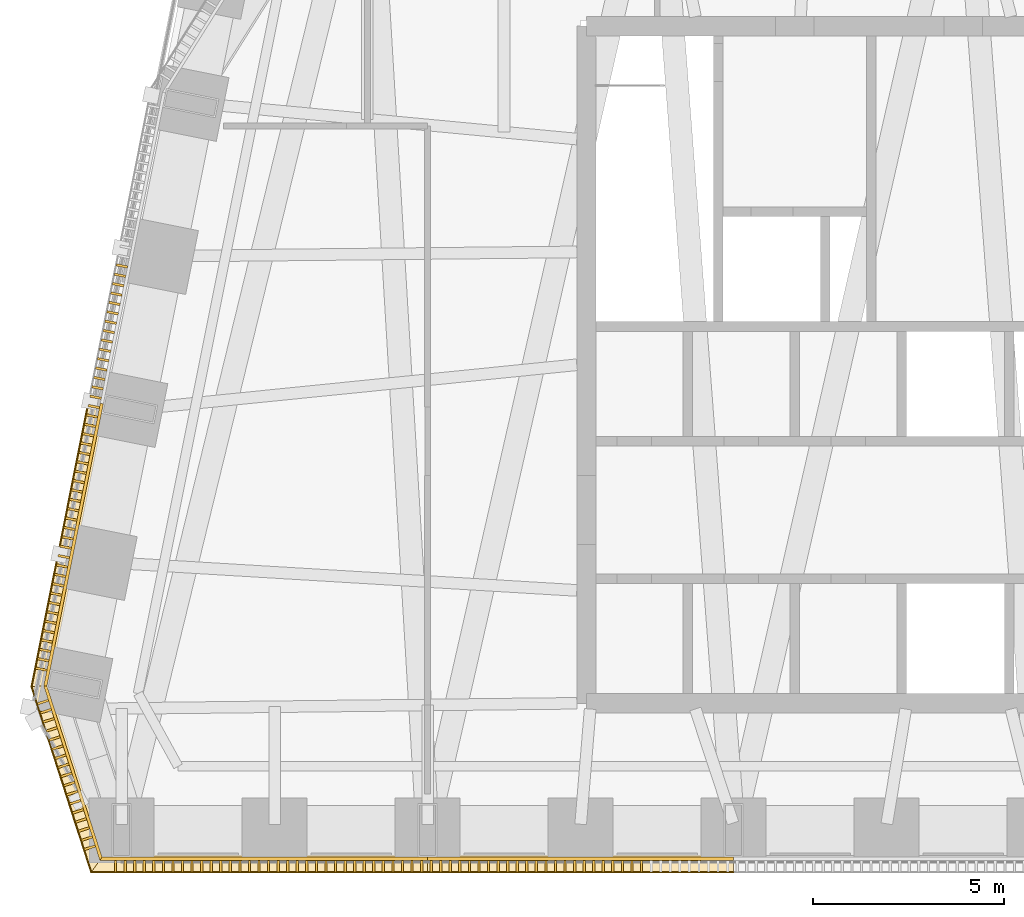
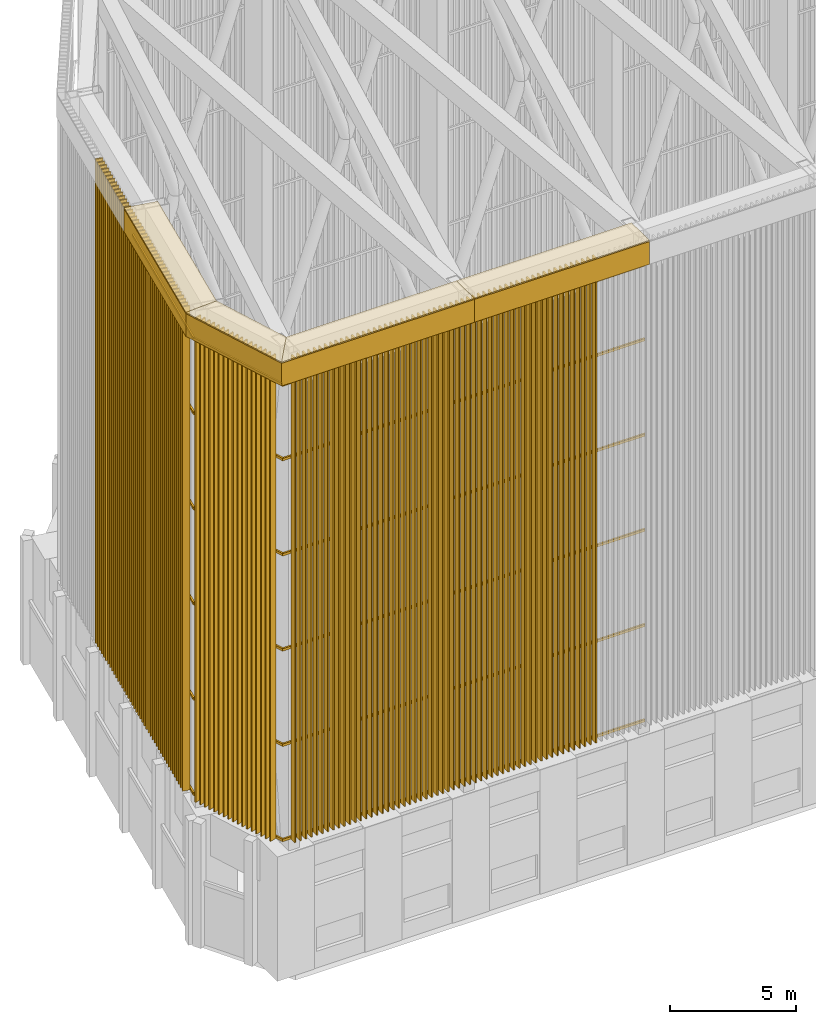
# One storey, part 8 of 15: 141 shading devices, 8 coverings.
"""IFC4 building model written with IfcOpenShell, lengths in metres."""

from ifc_helpers import new_model, si_unit, direction, frame, origin, origin_2d, place, context, subcontext, project, spatial, polyline, rectangle, outline, extrude, material, layer, layer_set, material_profile, profile_set, type_object, element, save


model = new_model("IFC4")

# Units and contexts
model_context = context("Model", 3, precision=1e-05, world=origin(), true_north=direction((0.0, 1.0)))
body_context = subcontext(model_context, "Body", "Model", "MODEL_VIEW")
ifc_project = project(units=[si_unit("LENGTHUNIT", "METRE"), si_unit("AREAUNIT", "SQUARE_METRE"), si_unit("VOLUMEUNIT", "CUBIC_METRE"), si_unit("PLANEANGLEUNIT", "RADIAN"), si_unit("MASSUNIT", "GRAM", prefix="KILO")], contexts=[model_context])

# Site, building, storey
site_placement = place(None, origin())
site = spatial("IfcSite", under=ifc_project, at=site_placement, CompositionType="ELEMENT")
building_placement = place(site_placement, origin())
building = spatial("IfcBuilding", under=site, at=building_placement, Name="Isbrekke Arena Tower", CompositionType="ELEMENT")
storey_placement = place(building_placement, frame((0.0, 0.0, 324.0)))
storey = spatial("IfcBuildingStorey", under=building, at=storey_placement, Name="L76", CompositionType="ELEMENT", Elevation=324.0)

# Shading devices
ifc_material_1 = material(Name="Pre-patinated copper on aluminium core", Category="aluminium")
ifc_material_profile = material_profile(ifc_material_1, rectangle(XDim=0.06005859375, YDim=0.300048828125, at=origin_2d()), Name="FIN 60X300")
ifc_profile_set = profile_set([ifc_material_profile], Name="Pre-patinated copper on aluminium core")
shading_device_type_1 = type_object("IfcShadingDeviceType", Name="CR1 CROWN FIN 60 x 300", PredefinedType="USERDEFINED", material=ifc_profile_set)
for number, where, z_axis, x_axis, name in (
    (1, (-26.156982421875, 1.89501953125, 6.60009765625), (0.0, 0.0, 1.0), (1.0, 0.0, 0.0), "CR1 crown fin A1"),
    (2, (-25.906982421875, 1.89501953125, 6.60009765625), (0.0, 0.0, 1.0), (1.0, 0.0, 0.0), "CR1 crown fin A2"),
    (3, (-25.656982421875, 1.89501953125, 6.60009765625), (0.0, 0.0, 1.0), (1.0, 0.0, 0.0), "CR1 crown fin A3"),
    (4, (-25.406982421875, 1.89501953125, 6.60009765625), (0.0, 0.0, 1.0), (1.0, 0.0, 0.0), "CR1 crown fin A4"),
    (5, (-25.156982421875, 1.89501953125, 6.60009765625), (0.0, 0.0, 1.0), (1.0, 0.0, 0.0), "CR1 crown fin A5"),
    (6, (-24.906982421875, 1.89501953125, 6.60009765625), (0.0, 0.0, 1.0), (1.0, 0.0, 0.0), "CR1 crown fin A6"),
    (7, (-24.656982421875, 1.89501953125, 6.60009765625), (0.0, 0.0, 1.0), (1.0, 0.0, 0.0), "CR1 crown fin A7"),
    (8, (-24.406982421875, 1.89501953125, 6.60009765625), (0.0, 0.0, 1.0), (1.0, 0.0, 0.0), "CR1 crown fin A8"),
    (9, (-24.156982421875, 1.89501953125, 6.60009765625), (0.0, 0.0, 1.0), (1.0, 0.0, 0.0), "CR1 crown fin A9"),
    (10, (-23.906982421875, 1.89501953125, 6.60009765625), (0.0, 0.0, 1.0), (1.0, 0.0, 0.0), "CR1 crown fin A10"),
    (11, (-23.656982421875, 1.89501953125, 6.60009765625), (0.0, 0.0, 1.0), (1.0, 0.0, 0.0), "CR1 crown fin A11"),
    (12, (-23.406982421875, 1.89501953125, 6.60009765625), (0.0, 0.0, 1.0), (1.0, 0.0, 0.0), "CR1 crown fin A12"),
    (13, (-23.156982421875, 1.89501953125, 6.60009765625), (0.0, 0.0, 1.0), (1.0, 0.0, 0.0), "CR1 crown fin A13"),
    (14, (-22.906982421875, 1.89501953125, 6.60009765625), (0.0, 0.0, 1.0), (1.0, 0.0, 0.0), "CR1 crown fin A14"),
    (15, (-22.656982421875, 1.89501953125, 6.60009765625), (0.0, 0.0, 1.0), (1.0, 0.0, 0.0), "CR1 crown fin A15"),
    (16, (-22.406982421875, 1.89501953125, 6.60009765625), (0.0, 0.0, 1.0), (1.0, 0.0, 0.0), "CR1 crown fin A16"),
    (17, (-22.156982421875, 1.89501953125, 6.60009765625), (0.0, 0.0, 1.0), (1.0, 0.0, 0.0), "CR1 crown fin A17"),
    (18, (-21.906982421875, 1.89501953125, 6.60009765625), (0.0, 0.0, 1.0), (1.0, 0.0, 0.0), "CR1 crown fin A18"),
    (19, (-21.656982421875, 1.89501953125, 6.60009765625), (0.0, 0.0, 1.0), (1.0, 0.0, 0.0), "CR1 crown fin A19"),
    (20, (-21.406982421875, 1.89501953125, 6.60009765625), (0.0, 0.0, 1.0), (1.0, 0.0, 0.0), "CR1 crown fin A20"),
    (21, (-21.156982421875, 1.89501953125, 6.60009765625), (0.0, 0.0, 1.0), (1.0, 0.0, 0.0), "CR1 crown fin A21"),
    (22, (-20.906982421875, 1.89501953125, 6.60009765625), (0.0, 0.0, 1.0), (1.0, 0.0, 0.0), "CR1 crown fin A22"),
    (23, (-20.656982421875, 1.89501953125, 6.60009765625), (0.0, 0.0, 1.0), (1.0, 0.0, 0.0), "CR1 crown fin A23"),
    (24, (-20.406982421875, 1.89501953125, 6.60009765625), (0.0, 0.0, 1.0), (1.0, 0.0, 0.0), "CR1 crown fin A24"),
    (25, (-20.156982421875, 1.89501953125, 6.60009765625), (0.0, 0.0, 1.0), (1.0, 0.0, 0.0), "CR1 crown fin A25"),
    (26, (-19.906982421875, 1.89501953125, 6.60009765625), (0.0, 0.0, 1.0), (1.0, 0.0, 0.0), "CR1 crown fin A26"),
    (27, (-19.656982421875, 1.89501953125, 6.60009765625), (0.0, 0.0, 1.0), (1.0, 0.0, 0.0), "CR1 crown fin A27"),
    (28, (-19.406982421875, 1.89501953125, 6.60009765625), (0.0, 0.0, 1.0), (1.0, 0.0, 0.0), "CR1 crown fin A28"),
    (29, (-19.156982421875, 1.89501953125, 6.60009765625), (0.0, 0.0, 1.0), (1.0, 0.0, 0.0), "CR1 crown fin A29"),
    (30, (-18.906982421875, 1.89501953125, 6.60009765625), (0.0, 0.0, 1.0), (1.0, 0.0, 0.0), "CR1 crown fin A30"),
    (31, (-18.656982421875, 1.89501953125, 6.60009765625), (0.0, 0.0, 1.0), (1.0, 0.0, 0.0), "CR1 crown fin A31"),
    (32, (-18.406982421875, 1.89501953125, 6.60009765625), (0.0, 0.0, 1.0), (1.0, 0.0, 0.0), "CR1 crown fin A32"),
    (33, (-18.156982421875, 1.89501953125, 6.60009765625), (0.0, 0.0, 1.0), (1.0, 0.0, 0.0), "CR1 crown fin A33"),
    (34, (-17.906982421875, 1.89501953125, 6.60009765625), (0.0, 0.0, 1.0), (1.0, 0.0, 0.0), "CR1 crown fin A34"),
    (35, (-17.656982421875, 1.89501953125, 6.60009765625), (0.0, 0.0, 1.0), (1.0, 0.0, 0.0), "CR1 crown fin A35"),
    (36, (-17.406982421875, 1.89501953125, 6.60009765625), (0.0, 0.0, 1.0), (1.0, 0.0, 0.0), "CR1 crown fin A36"),
    (37, (-17.156982421875, 1.89501953125, 6.60009765625), (0.0, 0.0, 1.0), (1.0, 0.0, 0.0), "CR1 crown fin A37"),
    (38, (-16.906982421875, 1.89501953125, 6.60009765625), (0.0, 0.0, 1.0), (1.0, 0.0, 0.0), "CR1 crown fin A38"),
    (39, (-16.656982421875, 1.89501953125, 6.60009765625), (0.0, 0.0, 1.0), (1.0, 0.0, 0.0), "CR1 crown fin A39"),
    (40, (-16.406982421875, 1.89501953125, 6.60009765625), (0.0, 0.0, 1.0), (1.0, 0.0, 0.0), "CR1 crown fin A40"),
    (41, (-16.156982421875, 1.89501953125, 6.60009765625), (0.0, 0.0, 1.0), (1.0, 0.0, 0.0), "CR1 crown fin A41"),
    (42, (-15.906982421875, 1.89501953125, 6.60009765625), (0.0, 0.0, 1.0), (1.0, 0.0, 0.0), "CR1 crown fin A42"),
    (43, (-15.656982421875, 1.89501953125, 6.60009765625), (0.0, 0.0, 1.0), (1.0, 0.0, 0.0), "CR1 crown fin A43"),
    (44, (-15.406982421875, 1.89501953125, 6.60009765625), (0.0, 0.0, 1.0), (1.0, 0.0, 0.0), "CR1 crown fin A44"),
    (45, (-15.156982421875, 1.89501953125, 6.60009765625), (0.0, 0.0, 1.0), (1.0, 0.0, 0.0), "CR1 crown fin A45"),
    (46, (-14.906982421875, 1.89501953125, 6.60009765625), (0.0, 0.0, 1.0), (1.0, 0.0, 0.0), "CR1 crown fin A46"),
    (47, (-14.656982421875, 1.89501953125, 6.60009765625), (0.0, 0.0, 1.0), (1.0, 0.0, 0.0), "CR1 crown fin A47"),
    (48, (-14.406982421875, 1.89501953125, 6.60009765625), (0.0, 0.0, 1.0), (1.0, 0.0, 0.0), "CR1 crown fin A48"),
    (49, (-14.156982421875, 1.89501953125, 6.60009765625), (0.0, 0.0, 1.0), (1.0, 0.0, 0.0), "CR1 crown fin A49"),
    (50, (-13.906982421875, 1.89501953125, 6.60009765625), (0.0, 0.0, 1.0), (1.0, 0.0, 0.0), "CR1 crown fin A50"),
    (51, (-13.656982421875, 1.89501953125, 6.60009765625), (0.0, 0.0, 1.0), (1.0, 0.0, 0.0), "CR1 crown fin A51"),
    (52, (-13.406982421875, 1.89501953125, 6.60009765625), (0.0, 0.0, 1.0), (1.0, 0.0, 0.0), "CR1 crown fin A52"),
    (53, (-13.156982421875, 1.89501953125, 6.60009765625), (0.0, 0.0, 1.0), (1.0, 0.0, 0.0), "CR1 crown fin A53"),
    (54, (-12.906982421875, 1.89501953125, 6.60009765625), (0.0, 0.0, 1.0), (1.0, 0.0, 0.0), "CR1 crown fin A54"),
    (55, (-12.656982421875, 1.89501953125, 6.60009765625), (0.0, 0.0, 1.0), (1.0, 0.0, 0.0), "CR1 crown fin A55"),
    (56, (-12.406982421875, 1.89501953125, 6.60009765625), (0.0, 0.0, 1.0), (1.0, 0.0, 0.0), "CR1 crown fin A56"),
    (57, (-25.990478515625, 17.5830078125, 6.60009765625), (0.0, 0.0, 1.0), (-0.196116127026, -0.980580677313, 0.0), "CR1 crown fin G18"),
    (58, (-26.03955078125, 17.337890625, 6.60009765625), (0.0, 0.0, 1.0), (-0.196116127026, -0.980580677313, 0.0), "CR1 crown fin G19"),
    (59, (-26.088623046875, 17.0927734375, 6.60009765625), (0.0, 0.0, 1.0), (-0.196116127026, -0.980580677313, 0.0), "CR1 crown fin G20"),
    (60, (-26.137451171875, 16.84765625, 6.60009765625), (0.0, 0.0, 1.0), (-0.196116127026, -0.980580677313, 0.0), "CR1 crown fin G21"),
    (61, (-26.1865234375, 16.602294921875, 6.60009765625), (0.0, 0.0, 1.0), (-0.196116127026, -0.980580677313, 0.0), "CR1 crown fin G22"),
    (62, (-26.235595703125, 16.357177734375, 6.60009765625), (0.0, 0.0, 1.0), (-0.196116127026, -0.980580677313, 0.0), "CR1 crown fin G23"),
    (63, (-26.28466796875, 16.112060546875, 6.60009765625), (0.0, 0.0, 1.0), (-0.196116127026, -0.980580677313, 0.0), "CR1 crown fin G24"),
    (64, (-26.333740234375, 15.866943359375, 6.60009765625), (0.0, 0.0, 1.0), (-0.196116127026, -0.980580677313, 0.0), "CR1 crown fin G25"),
    (65, (-26.3828125, 15.621826171875, 6.60009765625), (0.0, 0.0, 1.0), (-0.196116127026, -0.980580677313, 0.0), "CR1 crown fin G26"),
    (66, (-26.431640625, 15.376708984375, 6.60009765625), (0.0, 0.0, 1.0), (-0.196116127026, -0.980580677313, 0.0), "CR1 crown fin G27"),
    (67, (-26.480712890625, 15.131591796875, 6.60009765625), (0.0, 0.0, 1.0), (-0.196116127026, -0.980580677313, 0.0), "CR1 crown fin G28"),
    (68, (-26.52978515625, 14.886474609375, 6.60009765625), (0.0, 0.0, 1.0), (-0.196116127026, -0.980580677313, 0.0), "CR1 crown fin G29"),
    (69, (-26.578857421875, 14.641357421875, 6.60009765625), (0.0, 0.0, 1.0), (-0.196116127026, -0.980580677313, 0.0), "CR1 crown fin G30"),
    (70, (-26.6279296875, 14.39599609375, 6.60009765625), (0.0, 0.0, 1.0), (-0.196116127026, -0.980580677313, 0.0), "CR1 crown fin G31"),
    (71, (-26.677001953125, 14.15087890625, 6.60009765625), (0.0, 0.0, 1.0), (-0.196116127026, -0.980580677313, 0.0), "CR1 crown fin G32"),
    (72, (-26.725830078125, 13.90576171875, 6.60009765625), (0.0, 0.0, 1.0), (-0.196116127026, -0.980580677313, 0.0), "CR1 crown fin G33"),
    (73, (-26.77490234375, 13.66064453125, 6.60009765625), (0.0, 0.0, 1.0), (-0.196116127026, -0.980580677313, 0.0), "CR1 crown fin G34"),
    (74, (-26.823974609375, 13.41552734375, 6.60009765625), (0.0, 0.0, 1.0), (-0.196116127026, -0.980580677313, 0.0), "CR1 crown fin G35"),
    (75, (-26.873046875, 13.17041015625, 6.60009765625), (0.0, 0.0, 1.0), (-0.196116127026, -0.980580677313, 0.0), "CR1 crown fin G36"),
    (76, (-26.922119140625, 12.92529296875, 6.60009765625), (0.0, 0.0, 1.0), (-0.196116127026, -0.980580677313, 0.0), "CR1 crown fin G37"),
    (77, (-26.970947265625, 12.68017578125, 6.60009765625), (0.0, 0.0, 1.0), (-0.196116127026, -0.980580677313, 0.0), "CR1 crown fin G38"),
    (78, (-27.02001953125, 12.43505859375, 6.60009765625), (0.0, 0.0, 1.0), (-0.196116127026, -0.980580677313, 0.0), "CR1 crown fin G39"),
    (79, (-27.069091796875, 12.189697265625, 6.60009765625), (0.0, 0.0, 1.0), (-0.196116127026, -0.980580677313, 0.0), "CR1 crown fin G40"),
    (80, (-27.1181640625, 11.944580078125, 6.60009765625), (0.0, 0.0, 1.0), (-0.196116127026, -0.980580677313, 0.0), "CR1 crown fin G41"),
    (81, (-27.167236328125, 11.699462890625, 6.60009765625), (0.0, 0.0, 1.0), (-0.196116127026, -0.980580677313, 0.0), "CR1 crown fin G42"),
    (82, (-27.21630859375, 11.454345703125, 6.60009765625), (0.0, 0.0, 1.0), (-0.196116127026, -0.980580677313, 0.0), "CR1 crown fin G43"),
    (83, (-27.26513671875, 11.209228515625, 6.60009765625), (0.0, 0.0, 1.0), (-0.196116127026, -0.980580677313, 0.0), "CR1 crown fin G44"),
    (84, (-27.314208984375, 10.964111328125, 6.60009765625), (0.0, 0.0, 1.0), (-0.196116127026, -0.980580677313, 0.0), "CR1 crown fin G45"),
    (85, (-27.36328125, 10.718994140625, 6.60009765625), (0.0, 0.0, 1.0), (-0.196116127026, -0.980580677313, 0.0), "CR1 crown fin G46"),
    (86, (-27.412353515625, 10.473876953125, 6.60009765625), (0.0, 0.0, 1.0), (-0.196116127026, -0.980580677313, 0.0), "CR1 crown fin G47"),
    (87, (-27.46142578125, 10.228759765625, 6.60009765625), (0.0, 0.0, 1.0), (-0.196116127026, -0.980580677313, 0.0), "CR1 crown fin G48"),
    (88, (-27.510498046875, 9.9833984375, 6.60009765625), (0.0, 0.0, 1.0), (-0.196116127026, -0.980580677313, 0.0), "CR1 crown fin G49"),
    (89, (-27.559326171875, 9.73828125, 6.60009765625), (0.0, 0.0, 1.0), (-0.196116127026, -0.980580677313, 0.0), "CR1 crown fin G50"),
    (90, (-27.6083984375, 9.4931640625, 6.60009765625), (0.0, 0.0, 1.0), (-0.196116127026, -0.980580677313, 0.0), "CR1 crown fin G51"),
    (91, (-27.657470703125, 9.248046875, 6.60009765625), (0.0, 0.0, 1.0), (-0.196116127026, -0.980580677313, 0.0), "CR1 crown fin G52"),
    (92, (-27.70654296875, 9.0029296875, 6.60009765625), (0.0, 0.0, 1.0), (-0.196116127026, -0.980580677313, 0.0), "CR1 crown fin G53"),
    (93, (-27.755615234375, 8.7578125, 6.60009765625), (0.0, 0.0, 1.0), (-0.196116127026, -0.980580677313, 0.0), "CR1 crown fin G54"),
    (94, (-27.804443359375, 8.5126953125, 6.60009765625), (0.0, 0.0, 1.0), (-0.196116127026, -0.980580677313, 0.0), "CR1 crown fin G55"),
    (95, (-27.853515625, 8.267578125, 6.60009765625), (0.0, 0.0, 1.0), (-0.196116127026, -0.980580677313, 0.0), "CR1 crown fin G56"),
    (96, (-27.902587890625, 8.022216796875, 6.60009765625), (0.0, 0.0, 1.0), (-0.196116127026, -0.980580677313, 0.0), "CR1 crown fin G57"),
    (97, (-27.95166015625, 7.777099609375, 6.60009765625), (0.0, 0.0, 1.0), (-0.196116127026, -0.980580677313, 0.0), "CR1 crown fin G58"),
    (98, (-28.000732421875, 7.531982421875, 6.60009765625), (0.0, 0.0, 1.0), (-0.196116127026, -0.980580677313, 0.0), "CR1 crown fin G59"),
    (99, (-28.0498046875, 7.286865234375, 6.60009765625), (0.0, 0.0, 1.0), (-0.196116127026, -0.980580677313, 0.0), "CR1 crown fin G60"),
    (100, (-28.0986328125, 7.041748046875, 6.60009765625), (0.0, 0.0, 1.0), (-0.196116127026, -0.980580677313, 0.0), "CR1 crown fin G61"),
    (101, (-28.056396484375, 6.18115234375, 6.60009765625), (0.0, 0.0, 1.0), (0.306159569729, -0.951980208756, 0.0), "CR1 crown fin H1"),
    (102, (-27.979736328125, 5.943115234375, 6.60009765625), (0.0, 0.0, 1.0), (0.306159569729, -0.951980208756, 0.0), "CR1 crown fin H2"),
    (103, (-27.9033203125, 5.705322265625, 6.60009765625), (0.0, 0.0, 1.0), (0.306159569729, -0.951980208756, 0.0), "CR1 crown fin H3"),
    (104, (-27.82666015625, 5.46728515625, 6.60009765625), (0.0, 0.0, 1.0), (0.306159569729, -0.951980208756, 0.0), "CR1 crown fin H4"),
    (105, (-27.75, 5.229248046875, 6.60009765625), (0.0, 0.0, 1.0), (0.306159569729, -0.951980208756, 0.0), "CR1 crown fin H5"),
    (106, (-27.673583984375, 4.9912109375, 6.60009765625), (0.0, 0.0, 1.0), (0.306159569729, -0.951980208756, 0.0), "CR1 crown fin H6"),
    (107, (-27.596923828125, 4.753173828125, 6.60009765625), (0.0, 0.0, 1.0), (0.306159569729, -0.951980208756, 0.0), "CR1 crown fin H7"),
    (108, (-27.5205078125, 4.51513671875, 6.60009765625), (0.0, 0.0, 1.0), (0.306159569729, -0.951980208756, 0.0), "CR1 crown fin H8"),
    (109, (-27.44384765625, 4.27734375, 6.60009765625), (0.0, 0.0, 1.0), (0.306159569729, -0.951980208756, 0.0), "CR1 crown fin H9"),
    (110, (-27.367431640625, 4.039306640625, 6.60009765625), (0.0, 0.0, 1.0), (0.306159569729, -0.951980208756, 0.0), "CR1 crown fin H10"),
    (111, (-27.290771484375, 3.80126953125, 6.60009765625), (0.0, 0.0, 1.0), (0.306159569729, -0.951980208756, 0.0), "CR1 crown fin H11"),
    (112, (-27.21435546875, 3.563232421875, 6.60009765625), (0.0, 0.0, 1.0), (0.306159569729, -0.951980208756, 0.0), "CR1 crown fin H12"),
    (113, (-27.1376953125, 3.3251953125, 6.60009765625), (0.0, 0.0, 1.0), (0.306159569729, -0.951980208756, 0.0), "CR1 crown fin H13"),
    (114, (-27.061279296875, 3.08740234375, 6.60009765625), (0.0, 0.0, 1.0), (0.306159569729, -0.951980208756, 0.0), "CR1 crown fin H14"),
    (115, (-26.984619140625, 2.849365234375, 6.60009765625), (0.0, 0.0, 1.0), (0.306159569729, -0.951980208756, 0.0), "CR1 crown fin H15"),
    (116, (-26.908203125, 2.611328125, 6.60009765625), (0.0, 0.0, 1.0), (0.306159569729, -0.951980208756, 0.0), "CR1 crown fin H16"),
    (117, (-26.83154296875, 2.373291015625, 6.60009765625), (0.0, 0.0, 1.0), (0.306159569729, -0.951980208756, 0.0), "CR1 crown fin H17"),
):
    element("IfcShadingDevice", number, at=place(storey_placement, frame(where, z_axis=z_axis, x_axis=x_axis)), inside=storey, type_object=shading_device_type_1, Name=name, ObjectType="CROWN FIN", PredefinedType="USERDEFINED", context=body_context, shape_type="SweptSolid", body=[
        extrude(rectangle(XDim=0.06005859375, YDim=0.300048828125, at=origin_2d()), origin(), (0.0, 0.0, 1.0), 23.39990234375),
    ])
ifc_material_2 = material(Name="Galvanised steel RHS 120 x 80 x 5", Category="steel")
shading_device_type_2 = type_object("IfcShadingDeviceType", Name="CR2 CROWN SCREEN RAIL RHS 120 x 80", PredefinedType="USERDEFINED", material=ifc_material_2)
shading_device_1_placement = place(storey_placement, frame((0.0, 0.0, 6.60009765625)))
element("IfcShadingDevice", 118, at=shading_device_1_placement, inside=storey, type_object=shading_device_type_2, Name="CR2 crown screen rail 1 bay A1", ObjectType="CROWN SCREEN RAIL", PredefinedType="USERDEFINED", context=body_context, shape_type="SweptSolid", body=[
    extrude(outline(polyline([(-26.51025390625, 2.125), (-18.0, 2.125), (-18.0, 2.044921875), (-26.568603515625, 2.044921875), (-26.51025390625, 2.125)])), origin(), (0.0, 0.0, 1.0), 0.119873046875),
])
shading_device_2_placement = place(storey_placement, frame((0.0, 0.0, 11.199951171875)))
element("IfcShadingDevice", 119, at=shading_device_2_placement, inside=storey, type_object=shading_device_type_2, Name="CR2 crown screen rail 2 bay A1", ObjectType="CROWN SCREEN RAIL", PredefinedType="USERDEFINED", context=body_context, shape_type="SweptSolid", body=[
    extrude(outline(polyline([(-26.51025390625, 2.125), (-18.0, 2.125), (-18.0, 2.044921875), (-26.568603515625, 2.044921875), (-26.51025390625, 2.125)])), origin(), (0.0, 0.0, 1.0), 0.1201171875),
])
shading_device_3_placement = place(storey_placement, frame((0.0, 0.0, 15.800048828125)))
element("IfcShadingDevice", 120, at=shading_device_3_placement, inside=storey, type_object=shading_device_type_2, Name="CR2 crown screen rail 3 bay A1", ObjectType="CROWN SCREEN RAIL", PredefinedType="USERDEFINED", context=body_context, shape_type="SweptSolid", body=[
    extrude(outline(polyline([(-26.51025390625, 2.125), (-18.0, 2.125), (-18.0, 2.044921875), (-26.568603515625, 2.044921875), (-26.51025390625, 2.125)])), origin(), (0.0, 0.0, 1.0), 0.119873046875),
])
for number, where, name in (
    (121, (0.0, 0.0, 20.39990234375), "CR2 crown screen rail 4 bay A1"),
    (122, (0.0, 0.0, 25.0), "CR2 crown screen rail 5 bay A1"),
):
    element("IfcShadingDevice", number, at=place(storey_placement, frame(where)), inside=storey, type_object=shading_device_type_2, Name=name, ObjectType="CROWN SCREEN RAIL", PredefinedType="USERDEFINED", context=body_context, shape_type="SweptSolid", body=[
        extrude(outline(polyline([(-26.51025390625, 2.125), (-18.0, 2.125), (-18.0, 2.044921875), (-26.568603515625, 2.044921875), (-26.51025390625, 2.125)])), origin(), (0.0, 0.0, 1.0), 0.1201171875),
    ])
shading_device_4_placement = place(storey_placement, frame((0.0, 0.0, 28.60009765625)))
element("IfcShadingDevice", 123, at=shading_device_4_placement, inside=storey, type_object=shading_device_type_2, Name="CR2 crown screen rail 6 bay A1", ObjectType="CROWN SCREEN RAIL", PredefinedType="USERDEFINED", context=body_context, shape_type="SweptSolid", body=[
    extrude(outline(polyline([(-26.51025390625, 2.125), (-18.0, 2.125), (-18.0, 2.044921875), (-26.568603515625, 2.044921875), (-26.51025390625, 2.125)])), origin(), (0.0, 0.0, 1.0), 0.119873046875),
])
shading_device_5_placement = place(storey_placement, frame((0.0, 0.0, 6.60009765625)))
element("IfcShadingDevice", 124, at=shading_device_5_placement, inside=storey, type_object=shading_device_type_2, Name="CR2 crown screen rail 1 bay A2", ObjectType="CROWN SCREEN RAIL", PredefinedType="USERDEFINED", context=body_context, shape_type="SweptSolid", body=[
    extrude(outline(polyline([(-18.0, 2.125), (-10.0, 2.125), (-10.0, 2.044921875), (-18.0, 2.044921875), (-18.0, 2.125)])), origin(), (0.0, 0.0, 1.0), 0.119873046875),
])
shading_device_6_placement = place(storey_placement, frame((0.0, 0.0, 11.199951171875)))
element("IfcShadingDevice", 125, at=shading_device_6_placement, inside=storey, type_object=shading_device_type_2, Name="CR2 crown screen rail 2 bay A2", ObjectType="CROWN SCREEN RAIL", PredefinedType="USERDEFINED", context=body_context, shape_type="SweptSolid", body=[
    extrude(outline(polyline([(-18.0, 2.125), (-10.0, 2.125), (-10.0, 2.044921875), (-18.0, 2.044921875), (-18.0, 2.125)])), origin(), (0.0, 0.0, 1.0), 0.1201171875),
])
shading_device_7_placement = place(storey_placement, frame((0.0, 0.0, 15.800048828125)))
element("IfcShadingDevice", 126, at=shading_device_7_placement, inside=storey, type_object=shading_device_type_2, Name="CR2 crown screen rail 3 bay A2", ObjectType="CROWN SCREEN RAIL", PredefinedType="USERDEFINED", context=body_context, shape_type="SweptSolid", body=[
    extrude(outline(polyline([(-18.0, 2.125), (-10.0, 2.125), (-10.0, 2.044921875), (-18.0, 2.044921875), (-18.0, 2.125)])), origin(), (0.0, 0.0, 1.0), 0.119873046875),
])
for number, where, name in (
    (127, (0.0, 0.0, 20.39990234375), "CR2 crown screen rail 4 bay A2"),
    (128, (0.0, 0.0, 25.0), "CR2 crown screen rail 5 bay A2"),
):
    element("IfcShadingDevice", number, at=place(storey_placement, frame(where)), inside=storey, type_object=shading_device_type_2, Name=name, ObjectType="CROWN SCREEN RAIL", PredefinedType="USERDEFINED", context=body_context, shape_type="SweptSolid", body=[
        extrude(outline(polyline([(-18.0, 2.125), (-10.0, 2.125), (-10.0, 2.044921875), (-18.0, 2.044921875), (-18.0, 2.125)])), origin(), (0.0, 0.0, 1.0), 0.1201171875),
    ])
shading_device_8_placement = place(storey_placement, frame((0.0, 0.0, 28.60009765625)))
element("IfcShadingDevice", 129, at=shading_device_8_placement, inside=storey, type_object=shading_device_type_2, Name="CR2 crown screen rail 6 bay A2", ObjectType="CROWN SCREEN RAIL", PredefinedType="USERDEFINED", context=body_context, shape_type="SweptSolid", body=[
    extrude(outline(polyline([(-18.0, 2.125), (-10.0, 2.125), (-10.0, 2.044921875), (-18.0, 2.044921875), (-18.0, 2.125)])), origin(), (0.0, 0.0, 1.0), 0.119873046875),
])
shading_device_9_placement = place(storey_placement, frame((0.0, 0.0, 6.60009765625)))
element("IfcShadingDevice", 130, at=shading_device_9_placement, inside=storey, type_object=shading_device_type_2, Name="CR2 crown screen rail 1 bay G2", ObjectType="CROWN SCREEN RAIL", PredefinedType="USERDEFINED", context=body_context, shape_type="SweptSolid", body=[
    extrude(outline(polyline([(-26.4775390625, 13.9755859375), (-27.951416015625, 6.60595703125), (-28.033935546875, 6.601318359375), (-26.555908203125, 13.9912109375), (-26.4775390625, 13.9755859375)])), origin(), (0.0, 0.0, 1.0), 0.119873046875),
])
shading_device_10_placement = place(storey_placement, frame((0.0, 0.0, 11.199951171875)))
element("IfcShadingDevice", 131, at=shading_device_10_placement, inside=storey, type_object=shading_device_type_2, Name="CR2 crown screen rail 2 bay G2", ObjectType="CROWN SCREEN RAIL", PredefinedType="USERDEFINED", context=body_context, shape_type="SweptSolid", body=[
    extrude(outline(polyline([(-26.4775390625, 13.9755859375), (-27.951416015625, 6.60595703125), (-28.033935546875, 6.601318359375), (-26.555908203125, 13.9912109375), (-26.4775390625, 13.9755859375)])), origin(), (0.0, 0.0, 1.0), 0.1201171875),
])
shading_device_11_placement = place(storey_placement, frame((0.0, 0.0, 15.800048828125)))
element("IfcShadingDevice", 132, at=shading_device_11_placement, inside=storey, type_object=shading_device_type_2, Name="CR2 crown screen rail 3 bay G2", ObjectType="CROWN SCREEN RAIL", PredefinedType="USERDEFINED", context=body_context, shape_type="SweptSolid", body=[
    extrude(outline(polyline([(-26.4775390625, 13.9755859375), (-27.951416015625, 6.60595703125), (-28.033935546875, 6.601318359375), (-26.555908203125, 13.9912109375), (-26.4775390625, 13.9755859375)])), origin(), (0.0, 0.0, 1.0), 0.119873046875),
])
for number, where, name in (
    (133, (0.0, 0.0, 20.39990234375), "CR2 crown screen rail 4 bay G2"),
    (134, (0.0, 0.0, 25.0), "CR2 crown screen rail 5 bay G2"),
):
    element("IfcShadingDevice", number, at=place(storey_placement, frame(where)), inside=storey, type_object=shading_device_type_2, Name=name, ObjectType="CROWN SCREEN RAIL", PredefinedType="USERDEFINED", context=body_context, shape_type="SweptSolid", body=[
        extrude(outline(polyline([(-26.4775390625, 13.9755859375), (-27.951416015625, 6.60595703125), (-28.033935546875, 6.601318359375), (-26.555908203125, 13.9912109375), (-26.4775390625, 13.9755859375)])), origin(), (0.0, 0.0, 1.0), 0.1201171875),
    ])
shading_device_12_placement = place(storey_placement, frame((0.0, 0.0, 28.60009765625)))
element("IfcShadingDevice", 135, at=shading_device_12_placement, inside=storey, type_object=shading_device_type_2, Name="CR2 crown screen rail 6 bay G2", ObjectType="CROWN SCREEN RAIL", PredefinedType="USERDEFINED", context=body_context, shape_type="SweptSolid", body=[
    extrude(outline(polyline([(-26.4775390625, 13.9755859375), (-27.951416015625, 6.60595703125), (-28.033935546875, 6.601318359375), (-26.555908203125, 13.9912109375), (-26.4775390625, 13.9755859375)])), origin(), (0.0, 0.0, 1.0), 0.119873046875),
])
shading_device_13_placement = place(storey_placement, frame((0.0, 0.0, 6.60009765625)))
element("IfcShadingDevice", 136, at=shading_device_13_placement, inside=storey, type_object=shading_device_type_2, Name="CR2 crown screen rail 1 bay H1", ObjectType="CROWN SCREEN RAIL", PredefinedType="USERDEFINED", context=body_context, shape_type="SweptSolid", body=[
    extrude(outline(polyline([(-27.951416015625, 6.60595703125), (-26.51025390625, 2.125), (-26.568603515625, 2.044921875), (-28.033935546875, 6.601318359375), (-27.951416015625, 6.60595703125)])), origin(), (0.0, 0.0, 1.0), 0.119873046875),
])
shading_device_14_placement = place(storey_placement, frame((0.0, 0.0, 11.199951171875)))
element("IfcShadingDevice", 137, at=shading_device_14_placement, inside=storey, type_object=shading_device_type_2, Name="CR2 crown screen rail 2 bay H1", ObjectType="CROWN SCREEN RAIL", PredefinedType="USERDEFINED", context=body_context, shape_type="SweptSolid", body=[
    extrude(outline(polyline([(-27.951416015625, 6.60595703125), (-26.51025390625, 2.125), (-26.568603515625, 2.044921875), (-28.033935546875, 6.601318359375), (-27.951416015625, 6.60595703125)])), origin(), (0.0, 0.0, 1.0), 0.1201171875),
])
shading_device_15_placement = place(storey_placement, frame((0.0, 0.0, 15.800048828125)))
element("IfcShadingDevice", 138, at=shading_device_15_placement, inside=storey, type_object=shading_device_type_2, Name="CR2 crown screen rail 3 bay H1", ObjectType="CROWN SCREEN RAIL", PredefinedType="USERDEFINED", context=body_context, shape_type="SweptSolid", body=[
    extrude(outline(polyline([(-27.951416015625, 6.60595703125), (-26.51025390625, 2.125), (-26.568603515625, 2.044921875), (-28.033935546875, 6.601318359375), (-27.951416015625, 6.60595703125)])), origin(), (0.0, 0.0, 1.0), 0.119873046875),
])
for number, where, name in (
    (139, (0.0, 0.0, 20.39990234375), "CR2 crown screen rail 4 bay H1"),
    (140, (0.0, 0.0, 25.0), "CR2 crown screen rail 5 bay H1"),
):
    element("IfcShadingDevice", number, at=place(storey_placement, frame(where)), inside=storey, type_object=shading_device_type_2, Name=name, ObjectType="CROWN SCREEN RAIL", PredefinedType="USERDEFINED", context=body_context, shape_type="SweptSolid", body=[
        extrude(outline(polyline([(-27.951416015625, 6.60595703125), (-26.51025390625, 2.125), (-26.568603515625, 2.044921875), (-28.033935546875, 6.601318359375), (-27.951416015625, 6.60595703125)])), origin(), (0.0, 0.0, 1.0), 0.1201171875),
    ])
shading_device_16_placement = place(storey_placement, frame((0.0, 0.0, 28.60009765625)))
element("IfcShadingDevice", 141, at=shading_device_16_placement, inside=storey, type_object=shading_device_type_2, Name="CR2 crown screen rail 6 bay H1", ObjectType="CROWN SCREEN RAIL", PredefinedType="USERDEFINED", context=body_context, shape_type="SweptSolid", body=[
    extrude(outline(polyline([(-27.951416015625, 6.60595703125), (-26.51025390625, 2.125), (-26.568603515625, 2.044921875), (-28.033935546875, 6.601318359375), (-27.951416015625, 6.60595703125)])), origin(), (0.0, 0.0, 1.0), 0.119873046875),
])

# Coverings
ifc_material_3 = material(Name="Pre-patinated copper sheet on plywood deck", Category="wood")
ifc_layer_1 = layer(ifc_material_3, 0.06005859375)
ifc_layer_set_1 = layer_set([ifc_layer_1], Name="CR3 CROWN CAP COPING")
covering_type_1 = type_object("IfcCoveringType", Name="CR3 CROWN CAP COPING", PredefinedType="CLADDING", material=ifc_layer_set_1)
covering_1_placement = place(storey_placement, frame((0.0, 0.0, 30.0)))
element("IfcCovering", 142, at=covering_1_placement, inside=storey, type_object=covering_type_1, Name="CR3 crown cap coping bay A1", PredefinedType="CLADDING", context=body_context, shape_type="SweptSolid", body=[
    extrude(outline(polyline([(-25.78125, 3.125), (-18.0, 3.125), (-18.0, 1.715087890625), (-26.80908203125, 1.715087890625), (-25.78125, 3.125)])), origin(), (0.0, 0.0, 1.0), 0.06005859375),
])
covering_2_placement = place(storey_placement, frame((0.0, 0.0, 30.0)))
element("IfcCovering", 143, at=covering_2_placement, inside=storey, type_object=covering_type_1, Name="CR3 crown cap coping bay A2", PredefinedType="CLADDING", context=body_context, shape_type="SweptSolid", body=[
    extrude(outline(polyline([(-18.0, 3.125), (-10.0, 3.125), (-10.0, 1.715087890625), (-18.0, 1.715087890625), (-18.0, 3.125)])), origin(), (0.0, 0.0, 1.0), 0.06005859375),
])
covering_3_placement = place(storey_placement, frame((0.0, 0.0, 30.0)))
element("IfcCovering", 144, at=covering_3_placement, inside=storey, type_object=covering_type_1, Name="CR3 crown cap coping bay G2", PredefinedType="CLADDING", context=body_context, shape_type="SweptSolid", body=[
    extrude(outline(polyline([(-25.496826171875, 13.779296875), (-26.919677734375, 6.664794921875), (-28.374267578125, 6.58203125), (-26.87939453125, 14.055908203125), (-25.496826171875, 13.779296875)])), origin(), (0.0, 0.0, 1.0), 0.06005859375),
])
covering_4_placement = place(storey_placement, frame((0.0, 0.0, 30.0)))
element("IfcCovering", 145, at=covering_4_placement, inside=storey, type_object=covering_type_1, Name="CR3 crown cap coping bay H1", PredefinedType="CLADDING", context=body_context, shape_type="SweptSolid", body=[
    extrude(outline(polyline([(-26.919677734375, 6.664794921875), (-25.78125, 3.125), (-26.80908203125, 1.715087890625), (-28.374267578125, 6.58203125), (-26.919677734375, 6.664794921875)])), origin(), (0.0, 0.0, 1.0), 0.06005859375),
])
ifc_material_4 = material(Name="Pre-patinated copper sheet", Category="metal")
ifc_layer_2 = layer(ifc_material_4, 0.030029296875)
ifc_layer_set_2 = layer_set([ifc_layer_2], Name="CR4 CROWN CAP FASCIA")
covering_type_2 = type_object("IfcCoveringType", Name="CR4 CROWN CAP FASCIA", PredefinedType="CLADDING", material=ifc_layer_set_2)
covering_5_placement = place(storey_placement, frame((0.0, 0.0, 28.89990234375)))
element("IfcCovering", 146, at=covering_5_placement, inside=storey, type_object=covering_type_2, Name="CR4 crown cap fascia bay A1", PredefinedType="CLADDING", context=body_context, shape_type="SweptSolid", body=[
    extrude(outline(polyline([(-26.787109375, 1.7451171875), (-18.0, 1.7451171875), (-18.0, 1.715087890625), (-26.80908203125, 1.715087890625), (-26.787109375, 1.7451171875)])), origin(), (0.0, 0.0, 1.0), 1.10009765625),
])
covering_6_placement = place(storey_placement, frame((0.0, 0.0, 28.89990234375)))
element("IfcCovering", 147, at=covering_6_placement, inside=storey, type_object=covering_type_2, Name="CR4 crown cap fascia bay A2", PredefinedType="CLADDING", context=body_context, shape_type="SweptSolid", body=[
    extrude(outline(polyline([(-18.0, 1.7451171875), (-10.0, 1.7451171875), (-10.0, 1.715087890625), (-18.0, 1.715087890625), (-18.0, 1.7451171875)])), origin(), (0.0, 0.0, 1.0), 1.10009765625),
])
covering_7_placement = place(storey_placement, frame((0.0, 0.0, 28.89990234375)))
element("IfcCovering", 148, at=covering_7_placement, inside=storey, type_object=covering_type_2, Name="CR4 crown cap fascia bay G2", PredefinedType="CLADDING", context=body_context, shape_type="SweptSolid", body=[
    extrude(outline(polyline([(-26.85009765625, 14.050048828125), (-28.34326171875, 6.583740234375), (-28.374267578125, 6.58203125), (-26.87939453125, 14.055908203125), (-26.85009765625, 14.050048828125)])), origin(), (0.0, 0.0, 1.0), 1.10009765625),
])
covering_8_placement = place(storey_placement, frame((0.0, 0.0, 28.89990234375)))
element("IfcCovering", 149, at=covering_8_placement, inside=storey, type_object=covering_type_2, Name="CR4 crown cap fascia bay H1", PredefinedType="CLADDING", context=body_context, shape_type="SweptSolid", body=[
    extrude(outline(polyline([(-28.34326171875, 6.583740234375), (-26.787109375, 1.7451171875), (-26.80908203125, 1.715087890625), (-28.374267578125, 6.58203125), (-28.34326171875, 6.583740234375)])), origin(), (0.0, 0.0, 1.0), 1.10009765625),
])

save(model, "model.ifc")
